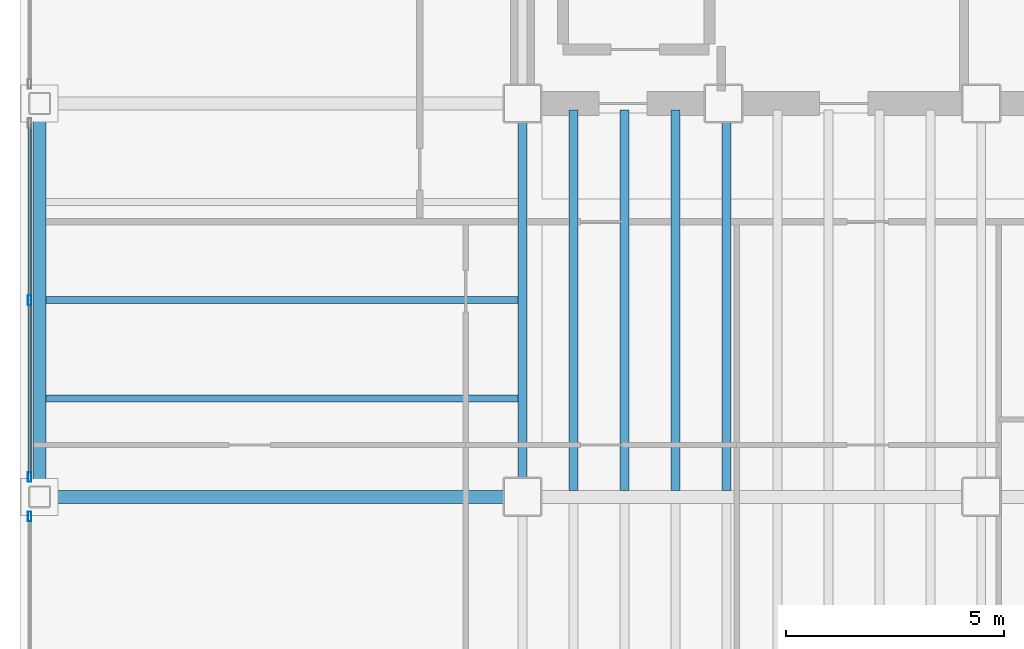
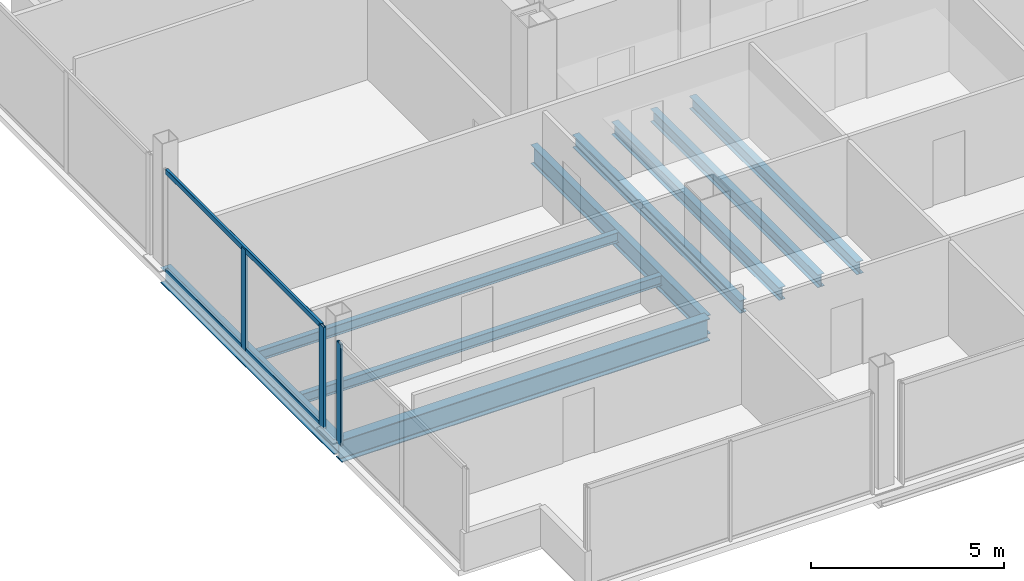
# One storey, part 4 of 22: 9 beams, 5 members, 2 elements without a shape of their own.
"""IFC4 building model written with IfcOpenShell, lengths in metres."""

import ifcopenshell
import ifcopenshell.guid

model = None  # the IFC model being written
_history = None  # IfcOwnerHistory: only IFC2X3 demands one
_inside = {}  # id of a spatial element -> (the spatial element, [elements in it])
_under = {}  # id of a project, library or spatial element -> (it, [spatial elements below it])
_declared = {}  # id of a project -> (the project, [libraries it declares])
_typed = {}  # id of a type object -> (the type object, [elements of that type])
_made_of = {}  # id of a material, layer set ... -> (it, [elements and type objects made of it])


def new_model(schema):
    """Start an empty IFC model of exactly this schema.

    Asked for "IFC4X3", IfcOpenShell would pick the latest addendum, in which some entities
    have other attributes; the version numbers below select the first issue.
    IFC2X3 requires an IfcOwnerHistory on every rooted entity: one is made here for all.
    """
    global model, _history
    if schema == "IFC4X3":
        model = ifcopenshell.file(schema_version=(4, 3, 0, 0))
    else:
        model = ifcopenshell.file(schema=schema)
    _inside.clear()
    _under.clear()
    _declared.clear()
    _typed.clear()
    _made_of.clear()
    _history = None
    if model.schema == "IFC2X3":
        org = make("IfcOrganization", Name="unknown")
        user = make(
            "IfcPersonAndOrganization",
            ThePerson=make("IfcPerson", FamilyName="unknown"),
            TheOrganization=org,
        )
        app = make(
            "IfcApplication",
            ApplicationDeveloper=org,
            Version="unknown",
            ApplicationFullName="unknown",
            ApplicationIdentifier="unknown",
        )
        _history = make(
            "IfcOwnerHistory",
            OwningUser=user,
            OwningApplication=app,
            ChangeAction="ADDED",
            CreationDate=0,
        )
    return model


def make(cls, **values):
    """One entity of the class cls with the attributes given. An attribute that is None is left unset."""
    return model.create_entity(
        cls, **{name: value for name, value in values.items() if value is not None}
    )


def rooted(cls, **values):
    """An entity with a GlobalId (a new one), such as an element, a storey or a relation."""
    return make(cls, GlobalId=ifcopenshell.guid.new(), OwnerHistory=_history, **values)


def si_unit(unit_type, name, prefix=None):
    """IfcSIUnit, for example si_unit("LENGTHUNIT", "METRE", prefix="MILLI")."""
    return make("IfcSIUnit", UnitType=unit_type, Prefix=prefix, Name=name)


def assignment(units):
    """IfcUnitAssignment: the units of a project."""
    return None if units is None else make("IfcUnitAssignment", Units=units)


def point(xyz):
    """IfcCartesianPoint."""
    return None if xyz is None else make("IfcCartesianPoint", Coordinates=xyz)


def direction(xyz):
    """IfcDirection."""
    return None if xyz is None else make("IfcDirection", DirectionRatios=xyz)


def frame(location, z_axis=None, x_axis=None):
    """IfcAxis2Placement3D, a coordinate frame: its origin and axes. An axis left out is left unset."""
    return make(
        "IfcAxis2Placement3D",
        Location=point(location),
        Axis=direction(z_axis),
        RefDirection=direction(x_axis),
    )


def frame_2d(location, x_axis=None):
    """IfcAxis2Placement2D, a coordinate frame in the plane: its origin and x axis."""
    return make(
        "IfcAxis2Placement2D", Location=point(location), RefDirection=direction(x_axis)
    )


def origin():
    """The frame at (0, 0, 0) with its axes left unset."""
    return frame((0.0, 0.0, 0.0))


def origin_2d():
    """The frame at (0, 0) in the plane with its x axis left unset."""
    return frame_2d((0.0, 0.0))


def place(relative_to, where):
    """IfcLocalPlacement: puts the frame where relative to a parent placement (None: the world)."""
    return make(
        "IfcLocalPlacement", PlacementRelTo=relative_to, RelativePlacement=where
    )


def context(
    kind, dimensions, precision=None, world=None, true_north=None, identifier=None
):
    """IfcGeometricRepresentationContext, for example the 3D "Model" context."""
    return make(
        "IfcGeometricRepresentationContext",
        ContextIdentifier=identifier,
        ContextType=kind,
        CoordinateSpaceDimension=dimensions,
        Precision=precision,
        WorldCoordinateSystem=world,
        TrueNorth=true_north,
    )


def subcontext(parent, identifier, kind, view, scale=None):
    """IfcGeometricRepresentationSubContext, for example "Body" below "Model"."""
    return make(
        "IfcGeometricRepresentationSubContext",
        ContextIdentifier=identifier,
        ContextType=kind,
        ParentContext=parent,
        TargetScale=scale,
        TargetView=view,
    )


def project(units=None, contexts=None):
    """IfcProject with its units and contexts."""
    return rooted(
        "IfcProject",
        Name="project",
        RepresentationContexts=contexts,
        UnitsInContext=assignment(units),
    )


def spatial(cls, under=None, at=None, **own):
    """A site, building, storey or space (cls), placed at a placement, below another one or the project."""
    s = rooted(cls, ObjectPlacement=at, **own)
    if under is not None:
        _under.setdefault(under.id(), (under, []))[1].append(s)
    return s


def profile(cls, at=None, kind="AREA", **sizes):
    """A parametric profile (cls). Its sizes go by their IFC names, for example OverallWidth=200.0."""
    return make(cls, ProfileType=kind, Position=at, **sizes)


def hollow_rectangle(**sizes):
    """IfcRectangleHollowProfileDef."""
    return profile("IfcRectangleHollowProfileDef", **sizes)


def i_section(**sizes):
    """IfcIShapeProfileDef."""
    return profile("IfcIShapeProfileDef", **sizes)


def extrude(swept, where, along, depth):
    """IfcExtrudedAreaSolid: the profile swept, set in the frame where, extruded along a direction by depth."""
    return make(
        "IfcExtrudedAreaSolid",
        SweptArea=swept,
        Position=where,
        ExtrudedDirection=direction(along),
        Depth=depth,
    )


def shape(context_of_items, identifier, shape_type, items):
    """IfcShapeRepresentation: the items that make up one representation, for example the "Body"."""
    return make(
        "IfcShapeRepresentation",
        ContextOfItems=context_of_items,
        RepresentationIdentifier=identifier,
        RepresentationType=shape_type,
        Items=items,
    )


def material(Name=None, Category=None):
    """IfcMaterial."""
    return make("IfcMaterial", Name=Name, Category=Category)


def material_profile(
    of_material, cross_section, Name=None, Category=None, Priority=None
):
    """IfcMaterialProfile: a cross section and its material."""
    return make(
        "IfcMaterialProfile",
        Name=Name,
        Material=of_material,
        Profile=cross_section,
        Priority=Priority,
        Category=Category,
    )


def profile_set(profiles, Name=None, composite=None):
    """IfcMaterialProfileSet."""
    return make(
        "IfcMaterialProfileSet",
        Name=Name,
        MaterialProfiles=profiles,
        CompositeProfile=composite,
    )


def made_of(thing, what):
    """Note that an element or type object is made of a material, layer set ...; save() writes the relation."""
    if what is not None:
        _made_of.setdefault(what.id(), (what, []))[1].append(thing)
    return thing


def type_object(cls, material=None, **own):
    """A type object (cls), such as IfcWallType, which elements share."""
    return made_of(rooted(cls, **own), material)


def element(
    cls,
    number,
    at=None,
    inside=None,
    cuts=None,
    type_object=None,
    material=None,
    context=None,
    identifier="Body",
    shape_type=None,
    held_by="IfcProductDefinitionShape",
    body=None,
    shapes=None,
    **own,
):
    """One element of the class cls, such as IfcWall. Its Tag is "e" and its number.

    at: its placement. inside: the storey or other place that contains it. cuts: it is an
    opening in that element (IfcRelVoidsElement). A single representation is given by context,
    identifier, shape_type and body (its items); several are given by shapes. held_by: the class
    of the entity that holds the representations. save() writes the other relations.
    """
    e = rooted(cls, Tag="e%d" % number, ObjectPlacement=at, **own)
    if body is not None:
        shapes = [shape(context, identifier, shape_type, body)]
    if shapes is not None:
        e.Representation = make(held_by, Representations=shapes)
    if inside is not None:
        _inside.setdefault(inside.id(), (inside, []))[1].append(e)
    if cuts is not None:
        rooted(
            "IfcRelVoidsElement", RelatingBuildingElement=cuts, RelatedOpeningElement=e
        )
    if type_object is not None:
        _typed.setdefault(type_object.id(), (type_object, []))[1].append(e)
    return made_of(e, material)


def aggregate(whole, parts):
    """IfcRelAggregates: a whole, such as a stair, and the parts it consists of."""
    return rooted("IfcRelAggregates", RelatingObject=whole, RelatedObjects=parts)


def save(model, path):
    """Write the relations noted so far, then the file.

    IfcRelAggregates (storeys below a building ...), IfcRelContainedInSpatialStructure (elements
    in a storey), IfcRelDefinesByType, IfcRelAssociatesMaterial and IfcRelDeclares: one each for
    every whole, place, type object, material and project.
    """
    for whole, parts in _under.values():
        aggregate(whole, parts)
    for where, things in _inside.values():
        rooted(
            "IfcRelContainedInSpatialStructure",
            RelatedElements=things,
            RelatingStructure=where,
        )
    for kind, things in _typed.values():
        rooted("IfcRelDefinesByType", RelatedObjects=things, RelatingType=kind)
    for what, things in _made_of.values():
        rooted("IfcRelAssociatesMaterial", RelatedObjects=things, RelatingMaterial=what)
    for by, libraries in _declared.values():
        rooted("IfcRelDeclares", RelatingContext=by, RelatedDefinitions=libraries)
    model.write(path)


model = new_model("IFC4")

# Units and contexts
model_context = context("Model", 3, precision=1e-05, world=origin(), true_north=direction((0.0, 1.0)))
body_context = subcontext(model_context, "Body", "Model", "MODEL_VIEW")
ifc_project = project(units=[si_unit("LENGTHUNIT", "METRE"), si_unit("AREAUNIT", "SQUARE_METRE"), si_unit("VOLUMEUNIT", "CUBIC_METRE"), si_unit("PLANEANGLEUNIT", "RADIAN"), si_unit("MASSUNIT", "GRAM", prefix="KILO")], contexts=[model_context])

# Site, building, storey
site_placement = place(None, origin())
site = spatial("IfcSite", under=ifc_project, at=site_placement, CompositionType="ELEMENT")
building_placement = place(site_placement, origin())
building = spatial("IfcBuilding", under=site, at=building_placement, Name="Noeulbin Bourse Tower", CompositionType="ELEMENT")
storey_placement = place(building_placement, frame((0.0, 0.0, 134.39990234375)))
storey = spatial("IfcBuildingStorey", under=building, at=storey_placement, Name="L33", CompositionType="ELEMENT", Elevation=134.39990234375)

# Beams
ifc_material_1 = material(Name="Steel S355", Category="steel")
ifc_material_profile_1 = material_profile(ifc_material_1, i_section(OverallWidth=0.199951171875, OverallDepth=0.60009765625, WebThickness=0.010986328125, FlangeThickness=0.01708984375, FilletRadius=0.02197265625, at=origin_2d()), Name="H-600x200x11x17", Category="LoadBearing")
ifc_profile_set_1 = profile_set([ifc_material_profile_1], Name="Steel S355")
beam_type_1 = type_object("IfcBeamType", Name="BM-GRD-600", PredefinedType="USERDEFINED", material=ifc_profile_set_1)
beam_1_placement = place(storey_placement, frame((13.5, 20.0, -0.47998046875), z_axis=(0.0, 1.0, 0.0), x_axis=(-1.0, 0.0, 0.0)))
element("IfcBeam", 1, at=beam_1_placement, inside=storey, type_object=beam_type_1, Name="Tower Primary Girder NS L33-1.2", ObjectType="GIRDER", PredefinedType="USERDEFINED", context=body_context, shape_type="SweptSolid", body=[
    extrude(i_section(OverallWidth=0.199951171875, OverallDepth=0.60009765625, WebThickness=0.010986328125, FlangeThickness=0.01708984375, FilletRadius=0.02197265625, at=origin_2d()), origin(), (0.0, 0.0, 1.0), 9.0),
])
ifc_material_profile_2 = material_profile(ifc_material_1, i_section(OverallWidth=0.300048828125, OverallDepth=0.699951171875, WebThickness=0.012939453125, FlangeThickness=0.02392578125, FilletRadius=0.02392578125, at=origin_2d()), Name="H-700x300x13x24", Category="LoadBearing")
ifc_profile_set_2 = profile_set([ifc_material_profile_2], Name="Steel S355")
beam_type_2 = type_object("IfcBeamType", Name="BM-GRD-700", PredefinedType="USERDEFINED", material=ifc_profile_set_2)
beam_2_placement = place(storey_placement, frame((2.449951171875, 20.0, -0.52978515625), z_axis=(1.0, 0.0, 0.0), x_axis=(0.0, 1.0, 0.0)))
element("IfcBeam", 2, at=beam_2_placement, inside=storey, type_object=beam_type_2, Name="Tower Primary Girder EW L33-1.1", ObjectType="GIRDER", PredefinedType="USERDEFINED", context=body_context, shape_type="SweptSolid", body=[
    extrude(i_section(OverallWidth=0.300048828125, OverallDepth=0.699951171875, WebThickness=0.012939453125, FlangeThickness=0.02392578125, FilletRadius=0.02392578125, at=origin_2d()), origin(), (0.0, 0.0, 1.0), 11.050048828125),
])
ifc_material_profile_3 = material_profile(ifc_material_1, i_section(OverallWidth=0.159912109375, OverallDepth=0.320068359375, WebThickness=0.006591796875, FlangeThickness=0.010009765625, FilletRadius=0.012939453125, at=origin_2d()), Name="H-320x160x6.5x10", Category="LoadBearing")
ifc_profile_set_3 = profile_set([ifc_material_profile_3], Name="Steel S355")
beam_type_3 = type_object("IfcBeamType", Name="BM-JST-320", PredefinedType="JOIST", material=ifc_profile_set_3)
for number, where, z_axis, x_axis, name in (
    (3, (2.60009765625, 22.25, -0.33984375), (1.0, 0.0, 0.0), (0.0, 1.0, 0.0), "Wing Composite Joist L33-W47"),
    (4, (2.60009765625, 24.5, -0.33984375), (1.0, 0.0, 0.0), (0.0, 1.0, 0.0), "Wing Composite Joist L33-W48"),
):
    element("IfcBeam", number, at=place(storey_placement, frame(where, z_axis=z_axis, x_axis=x_axis)), inside=storey, type_object=beam_type_3, Name=name, PredefinedType="JOIST", context=body_context, shape_type="SweptSolid", body=[
        extrude(i_section(OverallWidth=0.159912109375, OverallDepth=0.320068359375, WebThickness=0.006591796875, FlangeThickness=0.010009765625, FilletRadius=0.012939453125, at=origin_2d()), origin(), (0.0, 0.0, 1.0), 10.7998046875),
    ])
ifc_material_profile_4 = material_profile(ifc_material_1, i_section(OverallWidth=0.199951171875, OverallDepth=0.39990234375, WebThickness=0.008056640625, FlangeThickness=0.012939453125, FilletRadius=0.01611328125, at=origin_2d()), Name="H-400x200x8x13", Category="LoadBearing")
ifc_profile_set_4 = profile_set([ifc_material_profile_4], Name="Steel S355")
beam_type_4 = type_object("IfcBeamType", Name="BM-SEC-400", PredefinedType="BEAM", material=ifc_profile_set_4)
for number, where, z_axis, x_axis, name in (
    (5, (14.666748046875, 20.14990234375, -0.3798828125), (0.0, 1.0, 0.0), (-1.0, 0.0, 0.0), "Tower Composite Joist L33-02"),
    (6, (15.833251953125, 20.14990234375, -0.3798828125), (0.0, 1.0, 0.0), (-1.0, 0.0, 0.0), "Tower Composite Joist L33-04"),
    (7, (17.0, 20.14990234375, -0.3798828125), (0.0, 1.0, 0.0), (-1.0, 0.0, 0.0), "Tower Composite Joist L33-06"),
    (8, (18.166748046875, 20.14990234375, -0.3798828125), (0.0, 1.0, 0.0), (-1.0, 0.0, 0.0), "Tower Composite Joist L33-08"),
):
    element("IfcBeam", number, at=place(storey_placement, frame(where, z_axis=z_axis, x_axis=x_axis)), inside=storey, type_object=beam_type_4, Name=name, PredefinedType="BEAM", context=body_context, shape_type="SweptSolid", body=[
        extrude(i_section(OverallWidth=0.199951171875, OverallDepth=0.39990234375, WebThickness=0.008056640625, FlangeThickness=0.012939453125, FilletRadius=0.01611328125, at=origin_2d()), origin(), (0.0, 0.0, 1.0), 8.7001953125),
    ])
ifc_material_profile_5 = material_profile(ifc_material_1, i_section(OverallWidth=0.300048828125, OverallDepth=0.488037109375, WebThickness=0.010986328125, FlangeThickness=0.01806640625, FilletRadius=0.02197265625, at=origin_2d()), Name="H-488x300x11x18", Category="LoadBearing")
ifc_profile_set_5 = profile_set([ifc_material_profile_5], Name="Steel S355")
beam_type_5 = type_object("IfcBeamType", Name="BM-SPN-488", PredefinedType="SPANDREL", material=ifc_profile_set_5)
beam_3_placement = place(storey_placement, frame((2.449951171875, 20.0, -0.423828125), z_axis=(0.0, 1.0, 0.0), x_axis=(-1.0, 0.0, 0.0)))
element("IfcBeam", 9, at=beam_3_placement, inside=storey, type_object=beam_type_5, Name="West Spandrel L33-1", PredefinedType="SPANDREL", context=body_context, shape_type="SweptSolid", body=[
    extrude(i_section(OverallWidth=0.300048828125, OverallDepth=0.488037109375, WebThickness=0.010986328125, FlangeThickness=0.01806640625, FilletRadius=0.02197265625, at=origin_2d()), origin(), (0.0, 0.0, 1.0), 9.0),
])

# Curtain wall, member
ifc_material_2 = material(Name="Dark Tinted Triple Glazing", Category="glass")
curtain_wall_type = type_object("IfcCurtainWallType", Name="CW-SYS-3", PredefinedType="NOTDEFINED", material=ifc_material_2)
curtain_wall_1_placement = place(storey_placement, origin())
curtain_wall_1 = element("IfcCurtainWall", 10, at=curtain_wall_1_placement, inside=storey, type_object=curtain_wall_type, Name="Unitised Curtain Wall CW-L33-W-S1", PredefinedType="NOTDEFINED")
ifc_material_3 = material(Name="Anodised Aluminium 6063-T6", Category="aluminium")
ifc_material_profile_6 = material_profile(ifc_material_3, hollow_rectangle(XDim=0.074951171875, YDim=0.219970703125, WallThickness=0.0048828125, InnerFilletRadius=0.00244140625, OuterFilletRadius=0.0048828125, at=origin_2d()), Name="ALU-MULL-75x220x5", Category="LoadBearing")
ifc_profile_set_6 = profile_set([ifc_material_profile_6], Name="Anodised Aluminium 6063-T6")
member_type_1 = type_object("IfcMemberType", Name="CW-SYS-3-MUL", PredefinedType="MULLION", material=ifc_profile_set_6)
member_1_placement = place(storey_placement, frame((2.219970703125, 19.550048828125, -0.02001953125), z_axis=(0.0, 0.0, 1.0), x_axis=(1.0, 0.0, 0.0)))
member_1 = element("IfcMember", 11, at=member_1_placement, type_object=member_type_1, Name="Curtain Wall Mullion CW-L33-W-S1-M02", PredefinedType="MULLION", context=body_context, shape_type="SweptSolid", body=[
    extrude(hollow_rectangle(XDim=0.074951171875, YDim=0.219970703125, WallThickness=0.0048828125, InnerFilletRadius=0.00244140625, OuterFilletRadius=0.0048828125, at=origin_2d()), origin(), (0.0, 0.0, 1.0), 3.22021484375),
])
aggregate(curtain_wall_1, [member_1])

# Curtain wall, members
curtain_wall_2_placement = place(storey_placement, origin())
curtain_wall_2 = element("IfcCurtainWall", 12, at=curtain_wall_2_placement, inside=storey, type_object=curtain_wall_type, Name="Unitised Curtain Wall CW-L33-W-S2", PredefinedType="NOTDEFINED")
member_2_placement = place(storey_placement, frame((2.219970703125, 20.449951171875, -0.02001953125), z_axis=(0.0, 0.0, 1.0), x_axis=(1.0, 0.0, 0.0)))
member_2 = element("IfcMember", 13, at=member_2_placement, type_object=member_type_1, Name="Curtain Wall Mullion CW-L33-W-S2-M00", PredefinedType="MULLION", context=body_context, shape_type="SweptSolid", body=[
    extrude(hollow_rectangle(XDim=0.074951171875, YDim=0.219970703125, WallThickness=0.0048828125, InnerFilletRadius=0.00244140625, OuterFilletRadius=0.0048828125, at=origin_2d()), origin(), (0.0, 0.0, 1.0), 3.22021484375),
])
member_3_placement = place(storey_placement, frame((2.219970703125, 24.5, -0.02001953125), z_axis=(0.0, 0.0, 1.0), x_axis=(1.0, 0.0, 0.0)))
member_3 = element("IfcMember", 14, at=member_3_placement, type_object=member_type_1, Name="Curtain Wall Mullion CW-L33-W-S2-M01", PredefinedType="MULLION", context=body_context, shape_type="SweptSolid", body=[
    extrude(hollow_rectangle(XDim=0.074951171875, YDim=0.219970703125, WallThickness=0.0048828125, InnerFilletRadius=0.00244140625, OuterFilletRadius=0.0048828125, at=origin_2d()), origin(), (0.0, 0.0, 1.0), 3.22021484375),
])
ifc_material_profile_7 = material_profile(ifc_material_3, hollow_rectangle(XDim=0.074951171875, YDim=0.159912109375, WallThickness=0.0048828125, InnerFilletRadius=0.00244140625, OuterFilletRadius=0.0048828125, at=origin_2d()), Name="ALU-TRAN-75x160x5", Category="LoadBearing")
ifc_profile_set_7 = profile_set([ifc_material_profile_7], Name="Anodised Aluminium 6063-T6")
member_type_2 = type_object("IfcMemberType", Name="CW-SYS-3-TRN", PredefinedType="USERDEFINED", material=ifc_profile_set_7)
member_4_placement = place(storey_placement, frame((2.219970703125, 20.4599609375, 0.010009765625), z_axis=(0.0, 1.0, 0.0), x_axis=(-1.0, 0.0, 0.0)))
member_4 = element("IfcMember", 15, at=member_4_placement, type_object=member_type_2, Name="Curtain Wall Transom CW-L33-W-S2-T00", ObjectType="TRANSOM", PredefinedType="USERDEFINED", context=body_context, shape_type="SweptSolid", body=[
    extrude(hollow_rectangle(XDim=0.074951171875, YDim=0.159912109375, WallThickness=0.0048828125, InnerFilletRadius=0.00244140625, OuterFilletRadius=0.0048828125, at=origin_2d()), origin(), (0.0, 0.0, 1.0), 8.080078125),
])
member_5_placement = place(storey_placement, frame((2.219970703125, 20.4599609375, 3.170166015625), z_axis=(0.0, 1.0, 0.0), x_axis=(-1.0, 0.0, 0.0)))
member_5 = element("IfcMember", 16, at=member_5_placement, type_object=member_type_2, Name="Curtain Wall Transom CW-L33-W-S2-T01", ObjectType="TRANSOM", PredefinedType="USERDEFINED", context=body_context, shape_type="SweptSolid", body=[
    extrude(hollow_rectangle(XDim=0.074951171875, YDim=0.159912109375, WallThickness=0.0048828125, InnerFilletRadius=0.00244140625, OuterFilletRadius=0.0048828125, at=origin_2d()), origin(), (0.0, 0.0, 1.0), 8.080078125),
])
aggregate(curtain_wall_2, [member_2, member_3, member_4, member_5])

save(model, "model.ifc")
